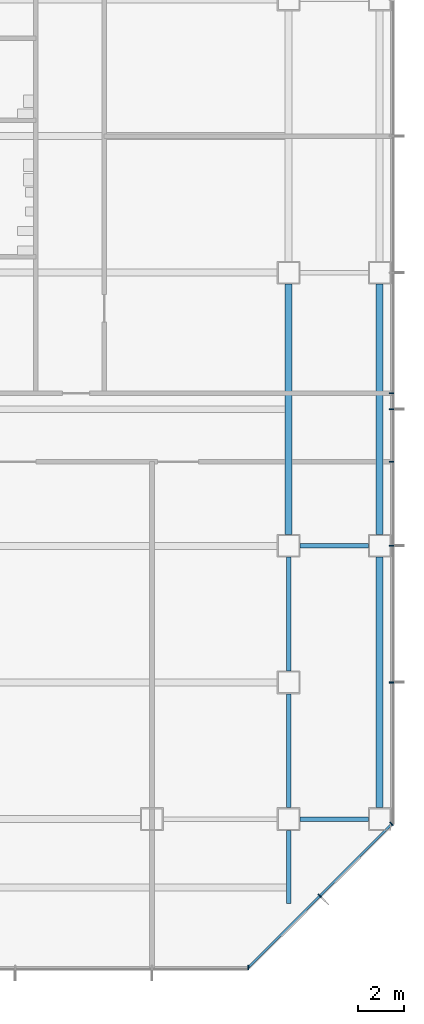
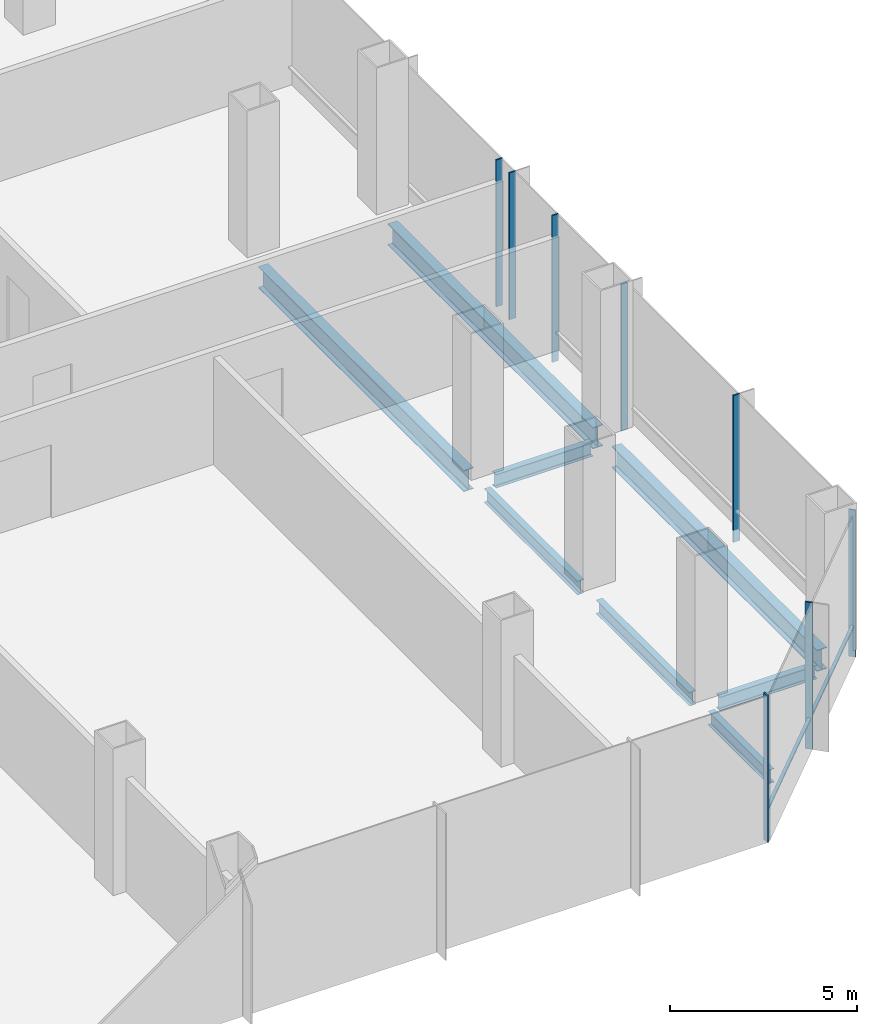
# One storey, part 17 of 33: 9 members, 8 beams, 3 elements without a shape of their own.
"""IFC4 building model written with IfcOpenShell, lengths in metres."""

from ifc_helpers import new_model, si_unit, direction, frame, origin, origin_2d, place, context, subcontext, project, spatial, rectangle, i_section, extrude, material, material_profile, profile_set, type_object, element, aggregate, save


model = new_model("IFC4")

# Units and contexts
model_context = context("Model", 3, precision=1e-05, world=origin(), true_north=direction((0.0, 1.0)))
body_context = subcontext(model_context, "Body", "Model", "MODEL_VIEW")
ifc_project = project(units=[si_unit("LENGTHUNIT", "METRE"), si_unit("AREAUNIT", "SQUARE_METRE"), si_unit("VOLUMEUNIT", "CUBIC_METRE"), si_unit("PLANEANGLEUNIT", "RADIAN"), si_unit("MASSUNIT", "GRAM", prefix="KILO")], contexts=[model_context])

# Site, building, storey
site_placement = place(None, origin())
site = spatial("IfcSite", under=ifc_project, at=site_placement, CompositionType="ELEMENT")
building_placement = place(site_placement, origin())
building = spatial("IfcBuilding", under=site, at=building_placement, Name="Sorahane Residences", CompositionType="ELEMENT")
storey_placement = place(building_placement, frame((0.0, 0.0, 30.0)))
storey = spatial("IfcBuildingStorey", under=building, at=storey_placement, Name="L04", CompositionType="ELEMENT", Elevation=30.0)

# Curtain wall, member
ifc_material_1 = material(Name="Dark low-e glass and black anodised aluminium", Category="aluminium")
curtain_wall_type = type_object("IfcCurtainWallType", Name="Curtain wall CW-3 Podium unitised wall", PredefinedType="NOTDEFINED", material=ifc_material_1)
curtain_wall_1_placement = place(storey_placement, origin())
curtain_wall_1 = element("IfcCurtainWall", 1, at=curtain_wall_1_placement, inside=storey, type_object=curtain_wall_type, Name="CW-3 curtain wall L04 S1", PredefinedType="NOTDEFINED")
ifc_material_2 = material(Name="Black anodised aluminium", Category="aluminium")
ifc_material_profile_1 = material_profile(ifc_material_2, rectangle(XDim=0.199951171875, YDim=0.050048828125, at=origin_2d()), Name="Curtain wall mullion CW-3 black anodised aluminium 50x200")
ifc_profile_set_1 = profile_set([ifc_material_profile_1], Name="Black anodised aluminium")
member_type_1 = type_object("IfcMemberType", Name="Curtain wall mullion CW-3 black anodised aluminium 50x200", PredefinedType="MULLION", material=ifc_profile_set_1)
member_1_placement = place(storey_placement, frame((64.2236328125, -6.52001953125, -0.39990234375), z_axis=(0.0, 0.0, 1.0), x_axis=(0.0, -1.0, 0.0)))
member_1 = element("IfcMember", 2, at=member_1_placement, type_object=member_type_1, Name="CW-3 mullion L04 S1.11", PredefinedType="MULLION", context=body_context, shape_type="SweptSolid", body=[
    extrude(rectangle(XDim=0.199951171875, YDim=0.050048828125, at=origin_2d()), origin(), (0.0, 0.0, 1.0), 4.7998046875),
])
aggregate(curtain_wall_1, [member_1])

# Curtain wall, members
curtain_wall_2_placement = place(storey_placement, origin())
curtain_wall_2 = element("IfcCurtainWall", 3, at=curtain_wall_2_placement, inside=storey, type_object=curtain_wall_type, Name="CW-3 curtain wall L04 SE1", PredefinedType="NOTDEFINED")
member_2_placement = place(storey_placement, frame((67.36767578125, -3.36767578125, -0.39990234375), z_axis=(0.0, 0.0, 1.0), x_axis=(0.707106781187, -0.707106781187, 0.0)))
member_2 = element("IfcMember", 4, at=member_2_placement, type_object=member_type_1, Name="CW-3 mullion L04 SE1.2", PredefinedType="MULLION", context=body_context, shape_type="SweptSolid", body=[
    extrude(rectangle(XDim=0.199951171875, YDim=0.050048828125, at=origin_2d()), origin(), (0.0, 0.0, 1.0), 4.7998046875),
])
member_3_placement = place(storey_placement, frame((70.525634765625, -0.209716796875, -0.39990234375), z_axis=(0.0, 0.0, 1.0), x_axis=(0.707106781187, -0.707106781187, 0.0)))
member_3 = element("IfcMember", 5, at=member_3_placement, type_object=member_type_1, Name="CW-3 mullion L04 SE1.3", PredefinedType="MULLION", context=body_context, shape_type="SweptSolid", body=[
    extrude(rectangle(XDim=0.199951171875, YDim=0.050048828125, at=origin_2d()), origin(), (0.0, 0.0, 1.0), 4.7998046875),
])

curtain_wall_3_placement = place(storey_placement, origin())
curtain_wall_3 = element("IfcCurtainWall", 6, at=curtain_wall_3_placement, inside=storey, type_object=curtain_wall_type, Name="CW-3 curtain wall L04 E1", PredefinedType="NOTDEFINED")
member_4_placement = place(storey_placement, frame((70.52001953125, 6.0, -0.39990234375), z_axis=(0.0, 0.0, 1.0), x_axis=(1.0, 0.0, 0.0)))
member_4 = element("IfcMember", 7, at=member_4_placement, type_object=member_type_1, Name="CW-3 mullion L04 E1.2", PredefinedType="MULLION", context=body_context, shape_type="SweptSolid", body=[
    extrude(rectangle(XDim=0.199951171875, YDim=0.050048828125, at=origin_2d()), origin(), (0.0, 0.0, 1.0), 4.7998046875),
])
member_5_placement = place(storey_placement, frame((70.52001953125, 12.0, -0.39990234375), z_axis=(0.0, 0.0, 1.0), x_axis=(1.0, 0.0, 0.0)))
member_5 = element("IfcMember", 8, at=member_5_placement, type_object=member_type_1, Name="CW-3 mullion L04 E1.3", PredefinedType="MULLION", context=body_context, shape_type="SweptSolid", body=[
    extrude(rectangle(XDim=0.199951171875, YDim=0.050048828125, at=origin_2d()), origin(), (0.0, 0.0, 1.0), 4.7998046875),
])
member_6_placement = place(storey_placement, frame((70.52001953125, 15.699951171875, -0.39990234375), z_axis=(0.0, 0.0, 1.0), x_axis=(1.0, 0.0, 0.0)))
member_6 = element("IfcMember", 9, at=member_6_placement, type_object=member_type_1, Name="CW-3 mullion L04 E1.4", PredefinedType="MULLION", context=body_context, shape_type="SweptSolid", body=[
    extrude(rectangle(XDim=0.199951171875, YDim=0.050048828125, at=origin_2d()), origin(), (0.0, 0.0, 1.0), 4.7998046875),
])
member_7_placement = place(storey_placement, frame((70.52001953125, 18.0, -0.39990234375), z_axis=(0.0, 0.0, 1.0), x_axis=(1.0, 0.0, 0.0)))
member_7 = element("IfcMember", 10, at=member_7_placement, type_object=member_type_1, Name="CW-3 mullion L04 E1.5", PredefinedType="MULLION", context=body_context, shape_type="SweptSolid", body=[
    extrude(rectangle(XDim=0.199951171875, YDim=0.050048828125, at=origin_2d()), origin(), (0.0, 0.0, 1.0), 4.7998046875),
])
member_8_placement = place(storey_placement, frame((70.52001953125, 18.699951171875, -0.39990234375), z_axis=(0.0, 0.0, 1.0), x_axis=(1.0, 0.0, 0.0)))
member_8 = element("IfcMember", 11, at=member_8_placement, type_object=member_type_1, Name="CW-3 mullion L04 E1.6", PredefinedType="MULLION", context=body_context, shape_type="SweptSolid", body=[
    extrude(rectangle(XDim=0.199951171875, YDim=0.050048828125, at=origin_2d()), origin(), (0.0, 0.0, 1.0), 4.7998046875),
])
aggregate(curtain_wall_3, [member_4, member_5, member_6, member_7, member_8])

# Member
ifc_material_3 = material(Name="Black anodised aluminium", Category="aluminium")
ifc_material_profile_2 = material_profile(ifc_material_3, rectangle(XDim=0.10009765625, YDim=0.06005859375, at=origin_2d()), Name="Curtain wall transom CW-3 black anodised aluminium 60x100")
ifc_profile_set_2 = profile_set([ifc_material_profile_2], Name="Black anodised aluminium")
member_type_2 = type_object("IfcMemberType", Name="Curtain wall transom CW-3 black anodised aluminium 60x100", PredefinedType="USERDEFINED", material=ifc_profile_set_2)
member_9_placement = place(storey_placement, frame((64.234375, -6.51513671875, 0.60009765625), z_axis=(0.707106781187, 0.707106781187, 0.0), x_axis=(-0.707106781187, 0.707106781187, 0.0)))
member_9 = element("IfcMember", 12, at=member_9_placement, type_object=member_type_2, Name="CW-3 transom L04 SE1", ObjectType="TRANSOM", PredefinedType="USERDEFINED", context=body_context, shape_type="SweptSolid", body=[
    extrude(rectangle(XDim=0.10009765625, YDim=0.06005859375, at=origin_2d()), origin(), (0.0, 0.0, 1.0), 8.88232421875),
])

aggregate(curtain_wall_2, [member_2, member_3, member_9])

# Beams
ifc_material_4 = material(Name="Steel Q355B", Category="steel")
ifc_material_profile_3 = material_profile(ifc_material_4, i_section(OverallWidth=0.199951171875, OverallDepth=0.449951171875, WebThickness=0.009033203125, FlangeThickness=0.013916015625, FilletRadius=0.02001953125, at=origin_2d()), Name="HN 450x200x9x14")
ifc_profile_set_3 = profile_set([ifc_material_profile_3], Name="Steel Q355B")
beam_type_1 = type_object("IfcBeamType", Name="Steel floor beam HN 450x200x9x14 Q355B", PredefinedType="BEAM", material=ifc_profile_set_3)
for number, where, z_axis, x_axis, name in (
    (13, (66.5, 0.0, -0.625), (1.0, 0.0, 0.0), (0.0, 1.0, 0.0), "Beam L04 007"),
    (14, (66.5, 12.0, -0.625), (1.0, 0.0, 0.0), (0.0, 1.0, 0.0), "Beam L04 013"),
):
    element("IfcBeam", number, at=place(storey_placement, frame(where, z_axis=z_axis, x_axis=x_axis)), inside=storey, type_object=beam_type_1, Name=name, PredefinedType="BEAM", context=body_context, shape_type="SweptSolid", body=[
        extrude(i_section(OverallWidth=0.199951171875, OverallDepth=0.449951171875, WebThickness=0.009033203125, FlangeThickness=0.013916015625, FilletRadius=0.02001953125, at=origin_2d()), origin(), (0.0, 0.0, 1.0), 3.0),
    ])
for number, where, z_axis, x_axis, name in (
    (15, (66.0, 0.5, -0.625), (0.0, 1.0, 0.0), (-1.0, 0.0, 0.0), "Beam L04 070"),
    (16, (66.0, 6.5, -0.625), (0.0, 1.0, 0.0), (-1.0, 0.0, 0.0), "Beam L04 071"),
):
    element("IfcBeam", number, at=place(storey_placement, frame(where, z_axis=z_axis, x_axis=x_axis)), inside=storey, type_object=beam_type_1, Name=name, PredefinedType="BEAM", context=body_context, shape_type="SweptSolid", body=[
        extrude(i_section(OverallWidth=0.199951171875, OverallDepth=0.449951171875, WebThickness=0.009033203125, FlangeThickness=0.013916015625, FilletRadius=0.02001953125, at=origin_2d()), origin(), (0.0, 0.0, 1.0), 5.0),
    ])
beam_placement = place(storey_placement, frame((66.0, -3.699951171875, -0.625), z_axis=(0.0, 1.0, 0.0), x_axis=(-1.0, 0.0, 0.0)))
element("IfcBeam", 17, at=beam_placement, inside=storey, type_object=beam_type_1, Name="Beam L04 087", PredefinedType="BEAM", context=body_context, shape_type="SweptSolid", body=[
    extrude(i_section(OverallWidth=0.199951171875, OverallDepth=0.449951171875, WebThickness=0.009033203125, FlangeThickness=0.013916015625, FilletRadius=0.02001953125, at=origin_2d()), origin(), (0.0, 0.0, 1.0), 3.19970703125),
])
ifc_material_5 = material(Name="Steel Q355B", Category="steel")
ifc_material_profile_4 = material_profile(ifc_material_5, i_section(OverallWidth=0.300048828125, OverallDepth=0.699951171875, WebThickness=0.012939453125, FlangeThickness=0.02392578125, FilletRadius=0.028076171875, at=origin_2d()), Name="HN 700x300x13x24")
ifc_profile_set_4 = profile_set([ifc_material_profile_4], Name="Steel Q355B")
beam_type_2 = type_object("IfcBeamType", Name="Steel floor beam HN 700x300x13x24 Q355B", PredefinedType="BEAM", material=ifc_profile_set_4)
for number, where, z_axis, x_axis, name in (
    (18, (66.0, 12.5, -0.75), (0.0, 1.0, 0.0), (-1.0, 0.0, 0.0), "Beam L04 072"),
    (19, (70.0, 0.5, -0.75), (0.0, 1.0, 0.0), (-1.0, 0.0, 0.0), "Beam L04 076"),
    (20, (70.0, 12.5, -0.75), (0.0, 1.0, 0.0), (-1.0, 0.0, 0.0), "Beam L04 077"),
):
    element("IfcBeam", number, at=place(storey_placement, frame(where, z_axis=z_axis, x_axis=x_axis)), inside=storey, type_object=beam_type_2, Name=name, PredefinedType="BEAM", context=body_context, shape_type="SweptSolid", body=[
        extrude(i_section(OverallWidth=0.300048828125, OverallDepth=0.699951171875, WebThickness=0.012939453125, FlangeThickness=0.02392578125, FilletRadius=0.028076171875, at=origin_2d()), origin(), (0.0, 0.0, 1.0), 11.0),
    ])

save(model, "model.ifc")
